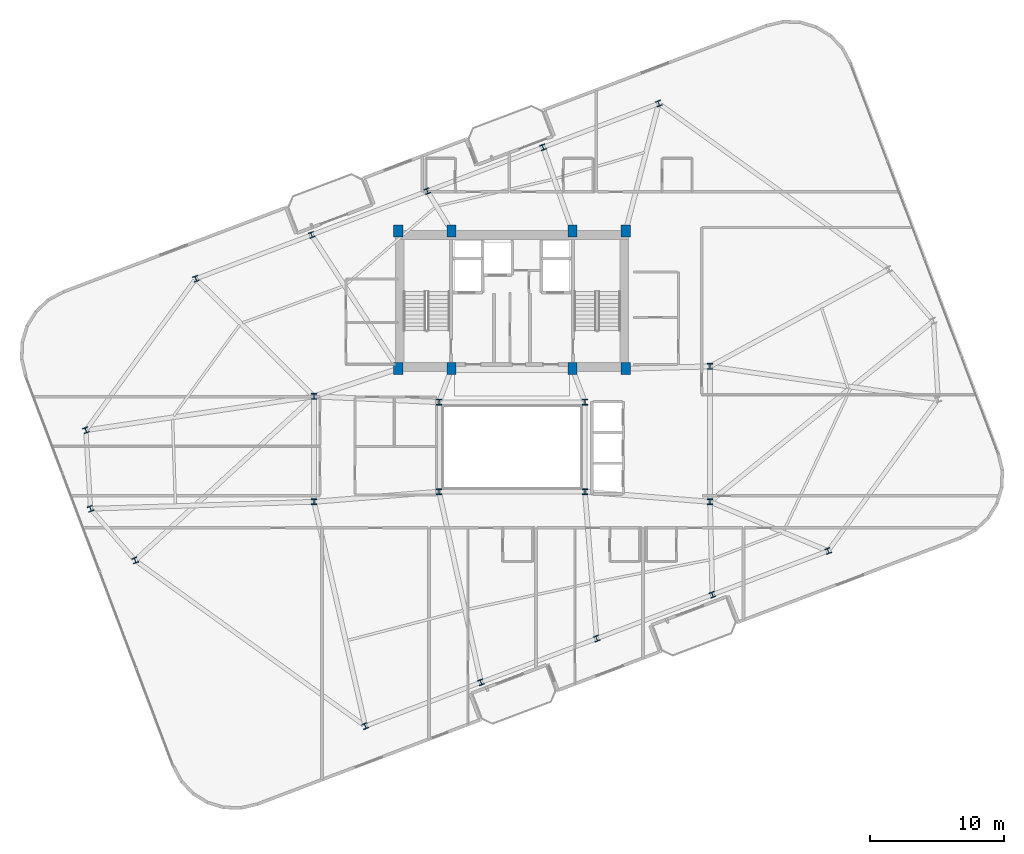
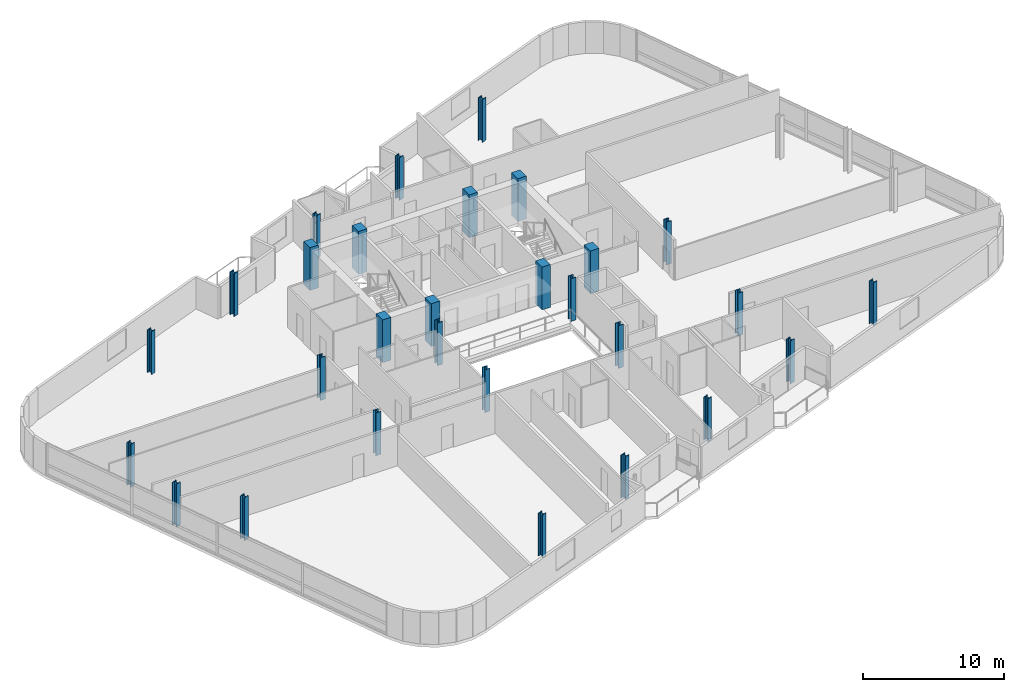
# One storey, part 1 of 20: 29 columns.
"""IFC4 building model written with IfcOpenShell, lengths in metres."""

from ifc_helpers import new_model, si_unit, direction, frame, origin, origin_2d, place, context, subcontext, project, spatial, rectangle, i_section, extrude, material, material_profile, profile_set, type_object, element, save


model = new_model("IFC4")

# Units and contexts
model_context = context("Model", 3, precision=1e-05, world=origin(), true_north=direction((0.0, 1.0)))
body_context = subcontext(model_context, "Body", "Model", "MODEL_VIEW")
ifc_project = project(units=[si_unit("LENGTHUNIT", "METRE"), si_unit("AREAUNIT", "SQUARE_METRE"), si_unit("VOLUMEUNIT", "CUBIC_METRE"), si_unit("PLANEANGLEUNIT", "RADIAN"), si_unit("MASSUNIT", "GRAM", prefix="KILO")], contexts=[model_context])

# Site, building, storey
site_placement = place(None, origin())
site = spatial("IfcSite", under=ifc_project, at=site_placement, CompositionType="ELEMENT")
building_placement = place(site_placement, origin())
building = spatial("IfcBuilding", under=site, at=building_placement, Name="Varnelok Gate Tower", CompositionType="ELEMENT")
storey_placement = place(building_placement, frame((0.0, 0.0, 234.89990234375)))
storey = spatial("IfcBuildingStorey", under=building, at=storey_placement, Name="L60", CompositionType="ELEMENT", Elevation=234.89990234375)

# Columns
ifc_material_1 = material(Name="Concrete C60/75", Category="concrete")
ifc_material_profile_1 = material_profile(ifc_material_1, rectangle(XDim=0.699951171875, YDim=0.89990234375, at=origin_2d()), Name="RC900X700")
ifc_profile_set_1 = profile_set([ifc_material_profile_1], Name="Concrete C60/75")
column_type_1 = type_object("IfcColumnType", Name="COL-RC900X700", PredefinedType="COLUMN", material=ifc_profile_set_1)
for number, where, z_axis, x_axis, name in (
    (1, (30.699951171875, 28.75, 0.0), (0.0, 0.0, 1.0), (1.0, 0.0, 0.0), "L60 Core Spine Column SC1"),
    (2, (34.679931640625, 28.75, 0.0), (0.0, 0.0, 1.0), (1.0, 0.0, 0.0), "L60 Core Spine Column SC2"),
    (3, (43.719970703125, 28.75, 0.0), (0.0, 0.0, 1.0), (1.0, 0.0, 0.0), "L60 Core Spine Column SC3"),
    (4, (47.699951171875, 28.75, 0.0), (0.0, 0.0, 1.0), (1.0, 0.0, 0.0), "L60 Core Spine Column SC4"),
    (5, (30.699951171875, 39.050048828125, 0.0), (0.0, 0.0, 1.0), (1.0, 0.0, 0.0), "L60 Core Spine Column SC5"),
    (6, (34.679931640625, 39.050048828125, 0.0), (0.0, 0.0, 1.0), (1.0, 0.0, 0.0), "L60 Core Spine Column SC6"),
    (7, (43.719970703125, 39.050048828125, 0.0), (0.0, 0.0, 1.0), (1.0, 0.0, 0.0), "L60 Core Spine Column SC7"),
    (8, (47.699951171875, 39.050048828125, 0.0), (0.0, 0.0, 1.0), (1.0, 0.0, 0.0), "L60 Core Spine Column SC8"),
):
    element("IfcColumn", number, at=place(storey_placement, frame(where, z_axis=z_axis, x_axis=x_axis)), inside=storey, type_object=column_type_1, Name=name, PredefinedType="COLUMN", context=body_context, shape_type="SweptSolid", body=[
        extrude(rectangle(XDim=0.699951171875, YDim=0.89990234375, at=origin_2d()), origin(), (0.0, 0.0, 1.0), 3.7001953125),
    ])
ifc_material_2 = material(Name="Structural Steel ASTM A992 Grade 50", Category="steel")
ifc_material_profile_2 = material_profile(ifc_material_2, i_section(OverallWidth=0.406005859375, OverallDepth=0.416015625, WebThickness=0.02978515625, FlangeThickness=0.048095703125, FilletRadius=0.02490234375, at=origin_2d()), Name="W14X257")
ifc_profile_set_2 = profile_set([ifc_material_profile_2], Name="Structural Steel ASTM A992 Grade 50")
column_type_2 = type_object("IfcColumnType", Name="COL-W14X257", PredefinedType="COLUMN", material=ifc_profile_set_2)
for number, where, z_axis, x_axis, name in (
    (9, (28.22900390625, 2.028076171875, 0.0), (0.0, 0.0, 1.0), (0.935221751401, 0.354062530786, 0.0), "L60 B5 Perimeter Column PC01"),
    (10, (36.8798828125, 5.30322265625, 0.0), (0.0, 0.0, 1.0), (0.935221751401, 0.354062530786, 0.0), "L60 B5 Perimeter Column PC02"),
    (11, (45.530517578125, 8.578125, 0.0), (0.0, 0.0, 1.0), (0.935221751401, 0.354062530786, 0.0), "L60 B5 Perimeter Column PC03"),
    (12, (54.181396484375, 11.853271484375, 0.0), (0.0, 0.0, 1.0), (0.935221751401, 0.354062530786, 0.0), "L60 B5 Perimeter Column PC04"),
    (13, (62.832275390625, 15.12841796875, 0.0), (0.0, 0.0, 1.0), (0.935221751401, 0.354062530786, 0.0), "L60 B5 Perimeter Column PC05"),
    (14, (50.1708984375, 48.572021484375, 0.0), (0.0, 0.0, 1.0), (0.935221751401, 0.354062530786, 0.0), "L60 B5 Perimeter Column PC09"),
    (15, (41.520263671875, 45.296875, 0.0), (0.0, 0.0, 1.0), (0.935221751401, 0.354062530786, 0.0), "L60 B5 Perimeter Column PC10"),
    (16, (32.869384765625, 42.021728515625, 0.0), (0.0, 0.0, 1.0), (0.935221751401, 0.354062530786, 0.0), "L60 B5 Perimeter Column PC11"),
    (17, (24.218505859375, 38.74658203125, 0.0), (0.0, 0.0, 1.0), (0.935221751401, 0.354062530786, 0.0), "L60 B5 Perimeter Column PC12"),
    (18, (15.56787109375, 35.4716796875, 0.0), (0.0, 0.0, 1.0), (0.935221751401, 0.354062530786, 0.0), "L60 B5 Perimeter Column PC13"),
    (19, (7.344970703125, 24.146484375, 0.0), (0.0, 0.0, 1.0), (0.935221751401, 0.354062530786, 0.0), "L60 B5 Perimeter Column PC14"),
    (20, (7.694580078125, 18.280517578125, 0.0), (0.0, 0.0, 1.0), (0.935221751401, 0.354062530786, 0.0), "L60 B5 Perimeter Column PC15"),
    (21, (11.027099609375, 14.42041015625, 0.0), (0.0, 0.0, 1.0), (0.935221751401, 0.354062530786, 0.0), "L60 B5 Perimeter Column PC16"),
):
    element("IfcColumn", number, at=place(storey_placement, frame(where, z_axis=z_axis, x_axis=x_axis)), inside=storey, type_object=column_type_2, Name=name, PredefinedType="COLUMN", context=body_context, shape_type="SweptSolid", body=[
        extrude(i_section(OverallWidth=0.406005859375, OverallDepth=0.416015625, WebThickness=0.02978515625, FlangeThickness=0.048095703125, FilletRadius=0.02490234375, at=origin_2d()), origin(), (0.0, 0.0, 1.0), 3.7001953125),
    ])
ifc_material_profile_3 = material_profile(ifc_material_2, i_section(OverallWidth=0.412109375, OverallDepth=0.43505859375, WebThickness=0.035888671875, FlangeThickness=0.057373046875, FilletRadius=0.02490234375, at=origin_2d()), Name="W14X311")
ifc_profile_set_3 = profile_set([ifc_material_profile_3], Name="Structural Steel ASTM A992 Grade 50")
column_type_3 = type_object("IfcColumnType", Name="COL-W14X311", PredefinedType="COLUMN", material=ifc_profile_set_3)
for number, where, z_axis, x_axis, name in (
    (22, (33.75, 19.550048828125, 0.0), (0.0, 0.0, 1.0), (1.0, 0.0, 0.0), "L60 Atrium Spine Column AC1"),
    (23, (44.64990234375, 19.550048828125, 0.0), (0.0, 0.0, 1.0), (1.0, 0.0, 0.0), "L60 Atrium Spine Column AC2"),
    (24, (33.75, 26.25, 0.0), (0.0, 0.0, 1.0), (1.0, 0.0, 0.0), "L60 Atrium Spine Column AC3"),
    (25, (44.64990234375, 26.25, 0.0), (0.0, 0.0, 1.0), (1.0, 0.0, 0.0), "L60 Atrium Spine Column AC4"),
    (26, (24.39990234375, 18.800048828125, 0.0), (0.0, 0.0, 1.0), (1.0, 0.0, 0.0), "L60 Wing Spine Column WS1"),
    (27, (24.39990234375, 26.679931640625, 0.0), (0.0, 0.0, 1.0), (1.0, 0.0, 0.0), "L60 Wing Spine Column WS2"),
    (28, (54.0, 18.800048828125, 0.0), (0.0, 0.0, 1.0), (1.0, 0.0, 0.0), "L60 Wing Spine Column ES1"),
    (29, (54.0, 28.919921875, 0.0), (0.0, 0.0, 1.0), (1.0, 0.0, 0.0), "L60 Wing Spine Column ES2"),
):
    element("IfcColumn", number, at=place(storey_placement, frame(where, z_axis=z_axis, x_axis=x_axis)), inside=storey, type_object=column_type_3, Name=name, PredefinedType="COLUMN", context=body_context, shape_type="SweptSolid", body=[
        extrude(i_section(OverallWidth=0.412109375, OverallDepth=0.43505859375, WebThickness=0.035888671875, FlangeThickness=0.057373046875, FilletRadius=0.02490234375, at=origin_2d()), origin(), (0.0, 0.0, 1.0), 3.7001953125),
    ])

save(model, "model.ifc")
